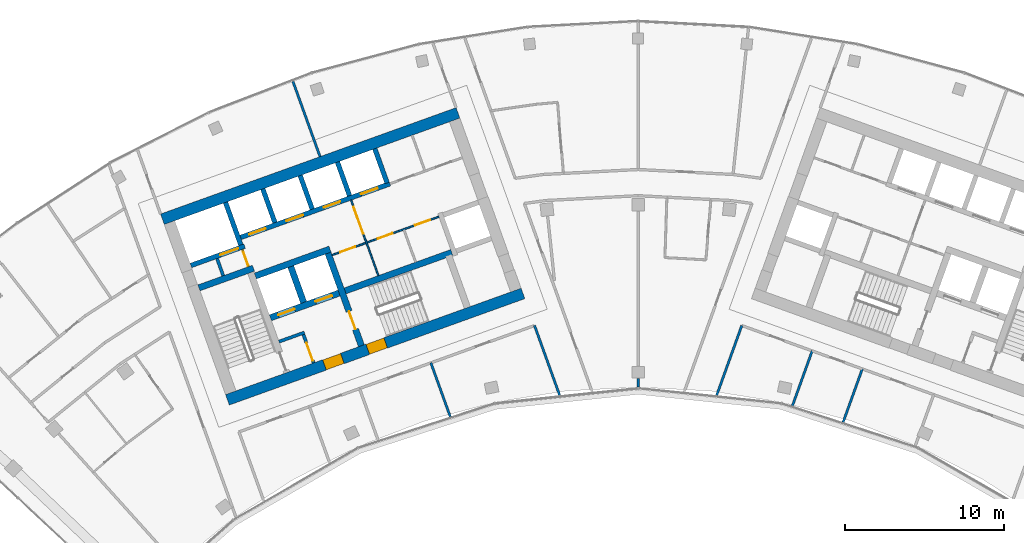
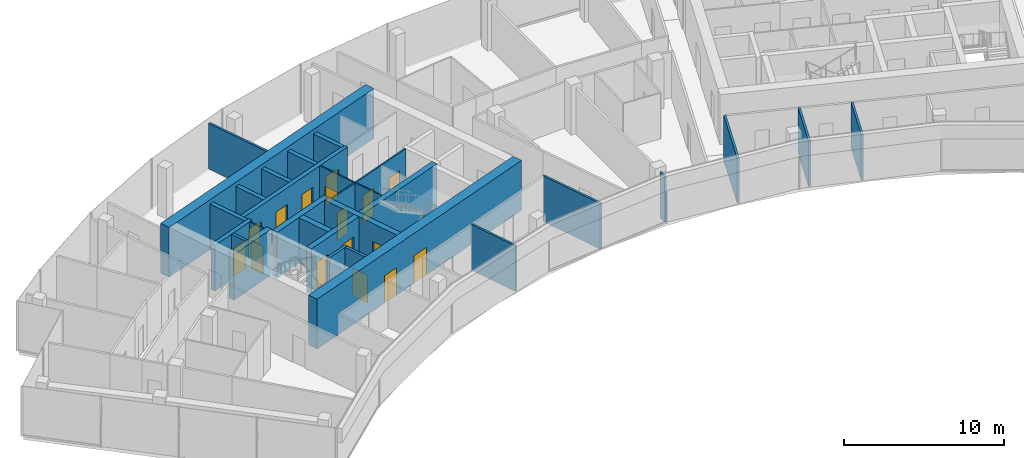
# One storey, part 13 of 18: 27 walls, 16 doors, 16 openings.
"""IFC4 building model written with IfcOpenShell, lengths in metres."""

from ifc_helpers import new_model, si_unit, direction, frame, frame_2d, origin, place, context, subcontext, project, spatial, rectangle, extrude, material, layer, layer_set, type_object, element, fill, save


model = new_model("IFC4")

# Units and contexts
model_context = context("Model", 3, precision=1e-05, world=origin(), true_north=direction((0.0, 1.0)))
body_context = subcontext(model_context, "Body", "Model", "MODEL_VIEW")
ifc_project = project(units=[si_unit("LENGTHUNIT", "METRE"), si_unit("AREAUNIT", "SQUARE_METRE"), si_unit("VOLUMEUNIT", "CUBIC_METRE"), si_unit("PLANEANGLEUNIT", "RADIAN"), si_unit("MASSUNIT", "GRAM", prefix="KILO")], contexts=[model_context])

# Site, building, storey
site_placement = place(None, origin())
site = spatial("IfcSite", under=ifc_project, at=site_placement, CompositionType="ELEMENT")
building_placement = place(site_placement, origin())
building = spatial("IfcBuilding", under=site, at=building_placement, Name="Stone Belt Terrace Tower", CompositionType="ELEMENT")
storey_placement = place(building_placement, frame((0.0, 0.0, 296.0)))
storey = spatial("IfcBuildingStorey", under=building, at=storey_placement, Name="L72", CompositionType="ELEMENT", Elevation=296.0)

# Wall, opening, door
ifc_material_1 = material(Name="Plasterboard partition")
ifc_layer_1 = layer(ifc_material_1, 0.10009765625)
ifc_layer_set_1 = layer_set([ifc_layer_1], Name="Core partition 100")
wall_type_1 = type_object("IfcWallType", Name="Core partition 100", PredefinedType="PARTITIONING", material=ifc_layer_set_1)
wall_1_placement = place(storey_placement, frame((-24.555908203125, 51.10400390625, 0.0), z_axis=(0.0, 0.0, 1.0), x_axis=(-0.338621735342, 0.94092258999, 0.0)))
wall_1 = element("IfcWall", 1, at=wall_1_placement, inside=storey, type_object=wall_type_1, Name="Core A wall", PredefinedType="PARTITIONING", context=body_context, shape_type="SweptSolid", body=[
    extrude(rectangle(XDim=1.14990234375, YDim=0.10009765625, at=frame_2d((0.574951171875, 0.0))), origin(), (0.0, 0.0, 1.0), 3.47998046875),
])
opening_1_placement = place(wall_1_placement, frame((0.050048828125, 0.0, 0.0)))
opening_1 = element("IfcOpeningElement", 2, at=opening_1_placement, cuts=wall_1, Name="Opening L72-C07", PredefinedType="OPENING", context=body_context, shape_type="SweptSolid", body=[
    extrude(rectangle(XDim=1.0, YDim=2.10009765625, at=frame_2d((0.5, 1.050048828125))), frame((0.0, 0.06005859375, 0.0), z_axis=(0.0, -1.0, 0.0), x_axis=(1.0, 0.0, 0.0)), (0.0, 0.0, 1.0), 0.1201171875),
])
ifc_material_2 = material(Name="Timber door leaf", Category="wood")
door_type_1 = type_object("IfcDoorType", Name="Core room door 1000", OperationType="SINGLE_SWING_LEFT", PredefinedType="DOOR", material=ifc_material_2)
door_1_placement = place(opening_1_placement, origin())
door_1 = element("IfcDoor", 3, at=door_1_placement, inside=storey, type_object=door_type_1, Name="Service lift lobby door core A", OperationType="SINGLE_SWING_RIGHT", OverallHeight=2.10009765625, OverallWidth=1.0, PredefinedType="DOOR", context=body_context, shape_type="SweptSolid", body=[
    extrude(rectangle(XDim=1.0, YDim=2.10009765625, at=frame_2d((0.5, 1.050048828125))), frame((0.0, 0.02490234375, 0.0), z_axis=(0.0, -1.0, 0.0), x_axis=(1.0, 0.0, 0.0)), (0.0, 0.0, 1.0), 0.050048828125),
])
fill(opening_1, door_1)

# Wall, openings, doors
wall_2_placement = place(storey_placement, frame((-19.29052734375, 51.829833984375, 0.0), z_axis=(0.0, 0.0, 1.0), x_axis=(0.94092179465, 0.338623945331, 0.0)))
wall_2 = element("IfcWall", 4, at=wall_2_placement, inside=storey, type_object=wall_type_1, Name="Core A wall", PredefinedType="PARTITIONING", context=body_context, shape_type="SweptSolid", body=[
    extrude(rectangle(XDim=7.14990234375, YDim=0.10009765625, at=frame_2d((3.574951171875, 0.0))), origin(), (0.0, 0.0, 1.0), 3.47998046875),
])
opening_2_placement = place(wall_2_placement, frame((0.550048828125, 0.0, 0.0)))
opening_2 = element("IfcOpeningElement", 5, at=opening_2_placement, cuts=wall_2, Name="Opening L72-C03", PredefinedType="OPENING", context=body_context, shape_type="SweptSolid", body=[
    extrude(rectangle(XDim=1.0, YDim=2.10009765625, at=frame_2d((0.5, 1.050048828125))), frame((0.0, 0.06005859375, 0.0), z_axis=(0.0, -1.0, 0.0), x_axis=(1.0, 0.0, 0.0)), (0.0, 0.0, 1.0), 0.1201171875),
])
opening_3_placement = place(wall_2_placement, frame((3.050048828125, 0.0, 0.0)))
opening_3 = element("IfcOpeningElement", 6, at=opening_3_placement, cuts=wall_2, Name="Opening L72-C04", PredefinedType="OPENING", context=body_context, shape_type="SweptSolid", body=[
    extrude(rectangle(XDim=1.0, YDim=2.10009765625, at=frame_2d((0.5, 1.050048828125))), frame((0.0, 0.06005859375, 0.0), z_axis=(0.0, -1.0, 0.0), x_axis=(1.0, 0.0, 0.0)), (0.0, 0.0, 1.0), 0.1201171875),
])
opening_4_placement = place(wall_2_placement, frame((5.550048828125, 0.0, 0.0)))
opening_4 = element("IfcOpeningElement", 7, at=opening_4_placement, cuts=wall_2, Name="Opening L72-C05", PredefinedType="OPENING", context=body_context, shape_type="SweptSolid", body=[
    extrude(rectangle(XDim=1.0, YDim=2.10009765625, at=frame_2d((0.5, 1.050048828125))), frame((0.0, 0.06005859375, 0.0), z_axis=(0.0, -1.0, 0.0), x_axis=(1.0, 0.0, 0.0)), (0.0, 0.0, 1.0), 0.1201171875),
])
door_2_placement = place(opening_2_placement, origin())
door_2 = element("IfcDoor", 8, at=door_2_placement, inside=storey, type_object=door_type_1, Name="Door to Ventilation plant room core A", OperationType="SINGLE_SWING_RIGHT", OverallHeight=2.10009765625, OverallWidth=1.0, PredefinedType="DOOR", context=body_context, shape_type="SweptSolid", body=[
    extrude(rectangle(XDim=1.0, YDim=2.10009765625, at=frame_2d((0.5, 1.050048828125))), frame((0.0, 0.02490234375, 0.0), z_axis=(0.0, -1.0, 0.0), x_axis=(1.0, 0.0, 0.0)), (0.0, 0.0, 1.0), 0.050048828125),
])
fill(opening_2, door_2)
door_3_placement = place(opening_3_placement, origin())
door_3 = element("IfcDoor", 9, at=door_3_placement, inside=storey, type_object=door_type_1, Name="Door to Services store core A", OperationType="SINGLE_SWING_LEFT", OverallHeight=2.10009765625, OverallWidth=1.0, PredefinedType="DOOR", context=body_context, shape_type="SweptSolid", body=[
    extrude(rectangle(XDim=1.0, YDim=2.10009765625, at=frame_2d((0.5, 1.050048828125))), frame((0.0, 0.02490234375, 0.0), z_axis=(0.0, -1.0, 0.0), x_axis=(1.0, 0.0, 0.0)), (0.0, 0.0, 1.0), 0.050048828125),
])
fill(opening_3, door_3)
door_4_placement = place(opening_4_placement, origin())
door_4 = element("IfcDoor", 10, at=door_4_placement, inside=storey, type_object=door_type_1, Name="Door to Server room core A", OperationType="SINGLE_SWING_RIGHT", OverallHeight=2.10009765625, OverallWidth=1.0, PredefinedType="DOOR", context=body_context, shape_type="SweptSolid", body=[
    extrude(rectangle(XDim=1.0, YDim=2.10009765625, at=frame_2d((0.5, 1.050048828125))), frame((0.0, 0.02490234375, 0.0), z_axis=(0.0, -1.0, 0.0), x_axis=(1.0, 0.0, 0.0)), (0.0, 0.0, 1.0), 0.050048828125),
])
fill(opening_4, door_4)

# Wall, opening, door
wall_3_placement = place(storey_placement, frame((-16.38134765625, 50.53857421875, 0.0), z_axis=(0.0, 0.0, 1.0), x_axis=(-0.33860476744, 0.940928696271, 0.0)))
wall_3 = element("IfcWall", 11, at=wall_3_placement, inside=storey, type_object=wall_type_1, Name="Core A wall", PredefinedType="PARTITIONING", context=body_context, shape_type="SweptSolid", body=[
    extrude(rectangle(XDim=5.050048828125, YDim=0.10009765625, at=frame_2d((2.52490234375, 0.0))), origin(), (0.0, 0.0, 1.0), 3.47998046875),
])
opening_5_placement = place(wall_3_placement, frame((2.800048828125, 0.0, 0.0)))
opening_5 = element("IfcOpeningElement", 12, at=opening_5_placement, cuts=wall_3, Name="Opening L72-C08", PredefinedType="OPENING", context=body_context, shape_type="SweptSolid", body=[
    extrude(rectangle(XDim=1.800048828125, YDim=2.10009765625, at=frame_2d((0.89990234375, 1.050048828125))), frame((0.0, 0.06005859375, 0.0), z_axis=(0.0, -1.0, 0.0), x_axis=(1.0, 0.0, 0.0)), (0.0, 0.0, 1.0), 0.1201171875),
])
ifc_material_3 = material(Name="Glazed aluminium door leaf", Category="aluminium")
door_type_2 = type_object("IfcDoorType", Name="Lift lobby entrance door 1800", OperationType="DOUBLE_DOOR_SINGLE_SWING", PredefinedType="DOOR", material=ifc_material_3)
door_5_placement = place(opening_5_placement, origin())
door_5 = element("IfcDoor", 13, at=door_5_placement, inside=storey, type_object=door_type_2, Name="Lift lobby double door core A", OperationType="DOUBLE_DOOR_SINGLE_SWING", OverallHeight=2.10009765625, OverallWidth=1.800048828125, PredefinedType="DOOR", context=body_context, shape_type="SweptSolid", body=[
    extrude(rectangle(XDim=1.800048828125, YDim=2.10009765625, at=frame_2d((0.89990234375, 1.050048828125))), frame((0.0, 0.02490234375, 0.0), z_axis=(0.0, -1.0, 0.0), x_axis=(1.0, 0.0, 0.0)), (0.0, 0.0, 1.0), 0.050048828125),
])
fill(opening_5, door_5)

# Wall, openings, doors
ifc_material_4 = material(Name="Concrete B60", Category="concrete")
ifc_layer_2 = layer(ifc_material_4, 0.699951171875)
ifc_layer_set_2 = layer_set([ifc_layer_2], Name="Core wall 700 B60")
wall_type_2 = type_object("IfcWallType", Name="Core wall 700 B60", PredefinedType="SHEAR", material=ifc_layer_set_2)
wall_4_placement = place(storey_placement, frame((-25.890869140625, 42.705810546875, 0.0), z_axis=(0.0, 0.0, 1.0), x_axis=(0.940925130461, 0.338614676094, 0.0)))
wall_4 = element("IfcWall", 14, at=wall_4_placement, inside=storey, type_object=wall_type_2, Name="Core A wall concave L72", PredefinedType="SHEAR", context=body_context, shape_type="SweptSolid", body=[
    extrude(rectangle(XDim=19.800048828125, YDim=0.699951171875, at=frame_2d((9.89990234375, 0.0))), origin(), (0.0, 0.0, 1.0), 3.800048828125),
])
opening_6_placement = place(wall_4_placement, frame((6.5, 0.0, 0.0)))
opening_6 = element("IfcOpeningElement", 15, at=opening_6_placement, cuts=wall_4, Name="Opening L72-C12", PredefinedType="OPENING", context=body_context, shape_type="SweptSolid", body=[
    extrude(rectangle(XDim=1.199951171875, YDim=2.10009765625, at=frame_2d((0.60009765625, 1.050048828125))), frame((0.0, 0.35986328125, 0.0), z_axis=(0.0, -1.0, 0.0), x_axis=(1.0, 0.0, 0.0)), (0.0, 0.0, 1.0), 0.719970703125),
])
opening_7_placement = place(wall_4_placement, frame((9.39990234375, 0.0, 0.0)))
opening_7 = element("IfcOpeningElement", 16, at=opening_7_placement, cuts=wall_4, Name="Opening L72-C14", PredefinedType="OPENING", context=body_context, shape_type="SweptSolid", body=[
    extrude(rectangle(XDim=1.199951171875, YDim=2.10009765625, at=frame_2d((0.60009765625, 1.050048828125))), frame((0.0, 0.35986328125, 0.0), z_axis=(0.0, -1.0, 0.0), x_axis=(1.0, 0.0, 0.0)), (0.0, 0.0, 1.0), 0.719970703125),
])
ifc_material_5 = material(Name="Steel door leaf", Category="steel")
door_type_3 = type_object("IfcDoorType", Name="Fire-fighting lobby door 1200", OperationType="SINGLE_SWING_LEFT", PredefinedType="DOOR", material=ifc_material_5)
door_6_placement = place(opening_6_placement, origin())
door_6 = element("IfcDoor", 17, at=door_6_placement, inside=storey, type_object=door_type_3, Name="Fire-fighting lobby door core A", OperationType="SINGLE_SWING_RIGHT", OverallHeight=2.10009765625, OverallWidth=1.199951171875, PredefinedType="DOOR", context=body_context, shape_type="SweptSolid", body=[
    extrude(rectangle(XDim=1.199951171875, YDim=2.10009765625, at=frame_2d((0.60009765625, 1.050048828125))), frame((0.0, 0.330078125, 0.0), z_axis=(0.0, -1.0, 0.0), x_axis=(1.0, 0.0, 0.0)), (0.0, 0.0, 1.0), 0.659912109375),
])
fill(opening_6, door_6)
door_type_4 = type_object("IfcDoorType", Name="Stair door 1200", OperationType="SINGLE_SWING_LEFT", PredefinedType="DOOR", material=ifc_material_5)
door_7_placement = place(opening_7_placement, origin())
door_7 = element("IfcDoor", 18, at=door_7_placement, inside=storey, type_object=door_type_4, Name="Stair 2 exit door core A", OperationType="SINGLE_SWING_LEFT", OverallHeight=2.10009765625, OverallWidth=1.199951171875, PredefinedType="DOOR", context=body_context, shape_type="SweptSolid", body=[
    extrude(rectangle(XDim=1.199951171875, YDim=2.10009765625, at=frame_2d((0.60009765625, 1.050048828125))), frame((0.0, 0.330078125, 0.0), z_axis=(0.0, -1.0, 0.0), x_axis=(1.0, 0.0, 0.0)), (0.0, 0.0, 1.0), 0.659912109375),
])
fill(opening_7, door_7)

# Walls
wall_5_placement = place(storey_placement, frame((-29.988037109375, 54.0908203125, 0.0), z_axis=(0.0, 0.0, 1.0), x_axis=(0.940919787944, 0.33862952124, 0.0)))
element("IfcWall", 19, at=wall_5_placement, inside=storey, type_object=wall_type_2, Name="Core A wall convex L72", PredefinedType="SHEAR", context=body_context, shape_type="SweptSolid", body=[
    extrude(rectangle(XDim=19.7998046875, YDim=0.699951171875, at=frame_2d((9.89990234375, 0.0))), origin(), (0.0, 0.0, 1.0), 3.800048828125),
])
ifc_material_6 = material(Name="Concrete B80", Category="concrete")
ifc_layer_3 = layer(ifc_material_6, 0.39990234375)
ifc_layer_set_3 = layer_set([ifc_layer_3], Name="Fire-fighting lift shaft wall 400")
wall_type_3 = type_object("IfcWallType", Name="Fire-fighting lift shaft wall 400", PredefinedType="SHEAR", material=ifc_layer_set_3)
wall_6_placement = place(storey_placement, frame((-24.130615234375, 50.512939453125, 0.0), z_axis=(0.0, 0.0, 1.0), x_axis=(0.94091168377, 0.338652038744, 0.0)))
element("IfcWall", 20, at=wall_6_placement, inside=storey, type_object=wall_type_3, Name="Core A wall", PredefinedType="SHEAR", context=body_context, shape_type="SweptSolid", body=[
    extrude(rectangle(XDim=5.000244140625, YDim=0.39990234375, at=frame_2d((2.5, 0.0))), origin(), (0.0, 0.0, 1.0), 3.47998046875),
])
wall_7_placement = place(storey_placement, frame((-21.0859375, 48.845458984375, 0.0), z_axis=(0.0, 0.0, 1.0), x_axis=(-0.338629416206, 0.940919825745, 0.0)))
element("IfcWall", 21, at=wall_7_placement, inside=storey, type_object=wall_type_3, Name="Core A wall", PredefinedType="SHEAR", context=body_context, shape_type="SweptSolid", body=[
    extrude(rectangle(XDim=2.400146484375, YDim=0.39990234375, at=frame_2d((1.2001953125, 0.0))), origin(), (0.0, 0.0, 1.0), 3.47998046875),
])

# Wall, opening, door
ifc_layer_4 = layer(ifc_material_6, 0.300048828125)
ifc_layer_set_4 = layer_set([ifc_layer_4], Name="Lift shaft wall 300")
wall_type_4 = type_object("IfcWallType", Name="Lift shaft wall 300", PredefinedType="SHEAR", material=ifc_layer_set_4)
wall_8_placement = place(storey_placement, frame((-28.195068359375, 51.17578125, 0.0), z_axis=(0.0, 0.0, 1.0), x_axis=(0.940901243567, 0.338681044427, 0.0)))
wall_8 = element("IfcWall", 22, at=wall_8_placement, inside=storey, type_object=wall_type_4, Name="Core A wall", PredefinedType="SHEAR", context=body_context, shape_type="SweptSolid", body=[
    extrude(rectangle(XDim=3.599853515625, YDim=0.300048828125, at=frame_2d((1.7998046875, 0.0))), origin(), (0.0, 0.0, 1.0), 3.47998046875),
])
opening_8_placement = place(wall_8_placement, frame((1.969970703125, 0.0, 0.0)))
opening_8 = element("IfcOpeningElement", 23, at=opening_8_placement, cuts=wall_8, Name="Opening L72-LD07", PredefinedType="OPENING", context=body_context, shape_type="SweptSolid", body=[
    extrude(rectangle(XDim=1.199951171875, YDim=2.199951171875, at=frame_2d((0.60009765625, 1.10009765625))), frame((0.0, 0.159912109375, 0.0), z_axis=(0.0, -1.0, 0.0), x_axis=(1.0, 0.0, 0.0)), (0.0, 0.0, 1.0), 0.320068359375),
])
ifc_material_7 = material(Name="Stainless steel door leaf", Category="steel")
door_type_5 = type_object("IfcDoorType", Name="Landing door 1200", OperationType="SLIDING_TO_LEFT", PredefinedType="DOOR", material=ifc_material_7)
door_8_placement = place(opening_8_placement, origin())
door_8 = element("IfcDoor", 24, at=door_8_placement, inside=storey, type_object=door_type_5, Name="Landing door SV1 core A", OperationType="SLIDING_TO_LEFT", OverallHeight=2.199951171875, OverallWidth=1.199951171875, PredefinedType="DOOR", context=body_context, shape_type="SweptSolid", body=[
    extrude(rectangle(XDim=1.199951171875, YDim=2.199951171875, at=frame_2d((0.60009765625, 1.10009765625))), frame((0.0, 0.02490234375, 0.0), z_axis=(0.0, -1.0, 0.0), x_axis=(1.0, 0.0, 0.0)), (0.0, 0.0, 1.0), 0.050048828125),
])
fill(opening_8, door_8)

# Wall
wall_9_placement = place(storey_placement, frame((-25.046875, 52.46826171875, 0.0), z_axis=(0.0, 0.0, 1.0), x_axis=(-0.338549588058, 0.940948551423, 0.0)))
element("IfcWall", 25, at=wall_9_placement, inside=storey, type_object=wall_type_4, Name="Core A wall", PredefinedType="SHEAR", context=body_context, shape_type="SweptSolid", body=[
    extrude(rectangle(XDim=2.849853515625, YDim=0.300048828125, at=frame_2d((1.4248046875, 0.0))), origin(), (0.0, 0.0, 1.0), 3.47998046875),
])

# Wall, openings, doors
wall_10_placement = place(storey_placement, frame((-25.05810546875, 52.9423828125, 0.0), z_axis=(0.0, 0.0, 1.0), x_axis=(0.940924441602, 0.338616590255, 0.0)))
wall_10 = element("IfcWall", 26, at=wall_10_placement, inside=storey, type_object=wall_type_4, Name="Core A wall", PredefinedType="SHEAR", context=body_context, shape_type="SweptSolid", body=[
    extrude(rectangle(XDim=10.000244140625, YDim=0.300048828125, at=frame_2d((5.0, 0.0))), origin(), (0.0, 0.0, 1.0), 3.47998046875),
])
opening_9_placement = place(wall_10_placement, frame((0.570068359375, 0.0, 0.0)))
opening_9 = element("IfcOpeningElement", 27, at=opening_9_placement, cuts=wall_10, Name="Opening L72-LD01", PredefinedType="OPENING", context=body_context, shape_type="SweptSolid", body=[
    extrude(rectangle(XDim=1.10009765625, YDim=2.199951171875, at=frame_2d((0.550048828125, 1.10009765625))), frame((0.0, 0.159912109375, 0.0), z_axis=(0.0, -1.0, 0.0), x_axis=(1.0, 0.0, 0.0)), (0.0, 0.0, 1.0), 0.320068359375),
])
opening_10_placement = place(wall_10_placement, frame((3.070068359375, 0.0, 0.0)))
opening_10 = element("IfcOpeningElement", 28, at=opening_10_placement, cuts=wall_10, Name="Opening L72-LD02", PredefinedType="OPENING", context=body_context, shape_type="SweptSolid", body=[
    extrude(rectangle(XDim=1.10009765625, YDim=2.199951171875, at=frame_2d((0.550048828125, 1.10009765625))), frame((0.0, 0.159912109375, 0.0), z_axis=(0.0, -1.0, 0.0), x_axis=(1.0, 0.0, 0.0)), (0.0, 0.0, 1.0), 0.320068359375),
])
opening_11_placement = place(wall_10_placement, frame((5.570068359375, 0.0, 0.0)))
opening_11 = element("IfcOpeningElement", 29, at=opening_11_placement, cuts=wall_10, Name="Opening L72-LD03", PredefinedType="OPENING", context=body_context, shape_type="SweptSolid", body=[
    extrude(rectangle(XDim=1.10009765625, YDim=2.199951171875, at=frame_2d((0.550048828125, 1.10009765625))), frame((0.0, 0.159912109375, 0.0), z_axis=(0.0, -1.0, 0.0), x_axis=(1.0, 0.0, 0.0)), (0.0, 0.0, 1.0), 0.320068359375),
])
opening_12_placement = place(wall_10_placement, frame((8.070068359375, 0.0, 0.0)))
opening_12 = element("IfcOpeningElement", 30, at=opening_12_placement, cuts=wall_10, Name="Opening L72-LD04", PredefinedType="OPENING", context=body_context, shape_type="SweptSolid", body=[
    extrude(rectangle(XDim=1.10009765625, YDim=2.199951171875, at=frame_2d((0.550048828125, 1.10009765625))), frame((0.0, 0.159912109375, 0.0), z_axis=(0.0, -1.0, 0.0), x_axis=(1.0, 0.0, 0.0)), (0.0, 0.0, 1.0), 0.320068359375),
])
door_type_6 = type_object("IfcDoorType", Name="Landing door 1100", OperationType="SLIDING_TO_LEFT", PredefinedType="DOOR", material=ifc_material_7)
door_9_placement = place(opening_9_placement, origin())
door_9 = element("IfcDoor", 31, at=door_9_placement, inside=storey, type_object=door_type_6, Name="Landing door HR1 core A", OperationType="SLIDING_TO_LEFT", OverallHeight=2.199951171875, OverallWidth=1.10009765625, PredefinedType="DOOR", context=body_context, shape_type="SweptSolid", body=[
    extrude(rectangle(XDim=1.10009765625, YDim=2.199951171875, at=frame_2d((0.550048828125, 1.10009765625))), frame((0.0, 0.02490234375, 0.0), z_axis=(0.0, -1.0, 0.0), x_axis=(1.0, 0.0, 0.0)), (0.0, 0.0, 1.0), 0.050048828125),
])
fill(opening_9, door_9)
door_10_placement = place(opening_10_placement, origin())
door_10 = element("IfcDoor", 32, at=door_10_placement, inside=storey, type_object=door_type_6, Name="Landing door HR2 core A", OperationType="SLIDING_TO_LEFT", OverallHeight=2.199951171875, OverallWidth=1.10009765625, PredefinedType="DOOR", context=body_context, shape_type="SweptSolid", body=[
    extrude(rectangle(XDim=1.10009765625, YDim=2.199951171875, at=frame_2d((0.550048828125, 1.10009765625))), frame((0.0, 0.02490234375, 0.0), z_axis=(0.0, -1.0, 0.0), x_axis=(1.0, 0.0, 0.0)), (0.0, 0.0, 1.0), 0.050048828125),
])
fill(opening_10, door_10)
door_11_placement = place(opening_11_placement, origin())
door_11 = element("IfcDoor", 33, at=door_11_placement, inside=storey, type_object=door_type_6, Name="Landing door HR3 core A", OperationType="SLIDING_TO_LEFT", OverallHeight=2.199951171875, OverallWidth=1.10009765625, PredefinedType="DOOR", context=body_context, shape_type="SweptSolid", body=[
    extrude(rectangle(XDim=1.10009765625, YDim=2.199951171875, at=frame_2d((0.550048828125, 1.10009765625))), frame((0.0, 0.02490234375, 0.0), z_axis=(0.0, -1.0, 0.0), x_axis=(1.0, 0.0, 0.0)), (0.0, 0.0, 1.0), 0.050048828125),
])
fill(opening_11, door_11)
door_12_placement = place(opening_12_placement, origin())
door_12 = element("IfcDoor", 34, at=door_12_placement, inside=storey, type_object=door_type_6, Name="Landing door HR4 core A", OperationType="SLIDING_TO_LEFT", OverallHeight=2.199951171875, OverallWidth=1.10009765625, PredefinedType="DOOR", context=body_context, shape_type="SweptSolid", body=[
    extrude(rectangle(XDim=1.10009765625, YDim=2.199951171875, at=frame_2d((0.550048828125, 1.10009765625))), frame((0.0, 0.02490234375, 0.0), z_axis=(0.0, -1.0, 0.0), x_axis=(1.0, 0.0, 0.0)), (0.0, 0.0, 1.0), 0.050048828125),
])
fill(opening_12, door_12)

# Walls
wall_11_placement = place(storey_placement, frame((-22.897705078125, 53.87939453125, 0.0), z_axis=(0.0, 0.0, 1.0), x_axis=(-0.338535034312, 0.940953787677, 0.0)))
element("IfcWall", 35, at=wall_11_placement, inside=storey, type_object=wall_type_4, Name="Core A wall", PredefinedType="SHEAR", context=body_context, shape_type="SweptSolid", body=[
    extrude(rectangle(XDim=2.25, YDim=0.300048828125, at=frame_2d((1.125, 0.0))), origin(), (0.0, 0.0, 1.0), 3.47998046875),
])
wall_12_placement = place(storey_placement, frame((-20.54541015625, 54.72607421875, 0.0), z_axis=(0.0, 0.0, 1.0), x_axis=(-0.338569601369, 0.940941350472, 0.0)))
element("IfcWall", 36, at=wall_12_placement, inside=storey, type_object=wall_type_4, Name="Core A wall", PredefinedType="SHEAR", context=body_context, shape_type="SweptSolid", body=[
    extrude(rectangle(XDim=2.249755859375, YDim=0.300048828125, at=frame_2d((1.125, 0.0))), origin(), (0.0, 0.0, 1.0), 3.47998046875),
])
wall_13_placement = place(storey_placement, frame((-18.193115234375, 55.572509765625, 0.0), z_axis=(0.0, 0.0, 1.0), x_axis=(-0.338535034312, 0.940953787677, 0.0)))
element("IfcWall", 37, at=wall_13_placement, inside=storey, type_object=wall_type_4, Name="Core A wall", PredefinedType="SHEAR", context=body_context, shape_type="SweptSolid", body=[
    extrude(rectangle(XDim=2.25, YDim=0.300048828125, at=frame_2d((1.125, 0.0))), origin(), (0.0, 0.0, 1.0), 3.47998046875),
])
wall_14_placement = place(storey_placement, frame((-15.82373046875, 56.3720703125, 0.0), z_axis=(0.0, 0.0, 1.0), x_axis=(-0.338621735342, 0.94092258999, 0.0)))
element("IfcWall", 38, at=wall_14_placement, inside=storey, type_object=wall_type_4, Name="Core A wall", PredefinedType="SHEAR", context=body_context, shape_type="SweptSolid", body=[
    extrude(rectangle(XDim=2.300048828125, YDim=0.300048828125, at=frame_2d((1.14990234375, 0.0))), origin(), (0.0, 0.0, 1.0), 3.47998046875),
])
ifc_material_8 = material(Name="Gypsum board partition")
ifc_layer_5 = layer(ifc_material_8, 0.14990234375)
ifc_layer_set_5 = layer_set([ifc_layer_5], Name="PARTITION 150 EI 60")
wall_type_5 = type_object("IfcWallType", Name="PARTITION 150 EI 60", PredefinedType="PARTITIONING", material=ifc_layer_set_5)
wall_15_placement = place(storey_placement, frame((-4.9462890625, 42.980224609375, 0.0), z_axis=(0.0, 0.0, 1.0), x_axis=(-0.338653121837, 0.940911293943, 0.0)))
element("IfcWall", 39, at=wall_15_placement, inside=storey, type_object=wall_type_5, Name="L72/wall/i009", PredefinedType="PARTITIONING", context=body_context, shape_type="SweptSolid", body=[
    extrude(rectangle(XDim=4.69091796875, YDim=0.14990234375, at=frame_2d((2.345458984375, 0.0))), origin(), (0.0, 0.0, 1.0), 3.47998046875),
])
wall_16_placement = place(storey_placement, frame((-13.06591796875, 45.035888671875, 0.0), z_axis=(0.0, 0.0, 1.0), x_axis=(0.338542216534, -0.940951203636, 0.0)))
element("IfcWall", 40, at=wall_16_placement, inside=storey, type_object=wall_type_5, Name="L72/wall/i021", PredefinedType="PARTITIONING", context=body_context, shape_type="SweptSolid", body=[
    extrude(rectangle(XDim=3.609375, YDim=0.14990234375, at=frame_2d((1.8046875, 0.0))), origin(), (0.0, 0.0, 1.0), 3.47998046875),
])
wall_17_placement = place(storey_placement, frame((-21.761962890625, 62.780029296875, 0.0), z_axis=(0.0, 0.0, 1.0), x_axis=(0.338645719625, -0.940913958117, 0.0)))
element("IfcWall", 41, at=wall_17_placement, inside=storey, type_object=wall_type_5, Name="L72/wall/i022", PredefinedType="PARTITIONING", context=body_context, shape_type="SweptSolid", body=[
    extrude(rectangle(XDim=5.040771484375, YDim=0.14990234375, at=frame_2d((2.5205078125, 0.0))), origin(), (0.0, 0.0, 1.0), 3.47998046875),
])
wall_18_placement = place(storey_placement, frame((6.534912109375, 47.39404296875, 0.0), z_axis=(0.0, 0.0, 1.0), x_axis=(-0.338653121837, -0.940911293943, 0.0)))
element("IfcWall", 42, at=wall_18_placement, inside=storey, type_object=wall_type_5, Name="L72/wall/i023", PredefinedType="PARTITIONING", context=body_context, shape_type="SweptSolid", body=[
    extrude(rectangle(XDim=4.69091796875, YDim=0.14990234375, at=frame_2d((2.345458984375, 0.0))), origin(), (0.0, 0.0, 1.0), 3.47998046875),
])
wall_19_placement = place(storey_placement, frame((10.969970703125, 45.791015625, 0.0), z_axis=(0.0, 0.0, 1.0), x_axis=(-0.338747659222, -0.94087726265, 0.0)))
element("IfcWall", 43, at=wall_19_placement, inside=storey, type_object=wall_type_5, Name="L72/wall/i037", PredefinedType="PARTITIONING", context=body_context, shape_type="SweptSolid", body=[
    extrude(rectangle(XDim=3.679931640625, YDim=0.14990234375, at=frame_2d((1.83984375, 0.0))), origin(), (0.0, 0.0, 1.0), 3.47998046875),
])
wall_20_placement = place(storey_placement, frame((14.1298828125, 44.653076171875, 0.0), z_axis=(0.0, 0.0, 1.0), x_axis=(-0.338680765461, -0.940901343982, 0.0)))
element("IfcWall", 44, at=wall_20_placement, inside=storey, type_object=wall_type_5, Name="L72/wall/i038", PredefinedType="PARTITIONING", context=body_context, shape_type="SweptSolid", body=[
    extrude(rectangle(XDim=3.573974609375, YDim=0.14990234375, at=frame_2d((1.787109375, 0.0))), origin(), (0.0, 0.0, 1.0), 3.47998046875),
])
wall_21_placement = place(storey_placement, frame((0.0, 44.06494140625, 0.0), z_axis=(0.0, 0.0, 1.0), x_axis=(0.0, -1.0, 0.0)))
element("IfcWall", 45, at=wall_21_placement, inside=storey, type_object=wall_type_5, Name="L72/wall/i098", PredefinedType="PARTITIONING", context=body_context, shape_type="SweptSolid", body=[
    extrude(rectangle(XDim=0.56494140625, YDim=0.14990234375, at=frame_2d((0.282470703125, 0.0))), origin(), (0.0, 0.0, 1.0), 3.47998046875),
])
ifc_material_9 = material(Name="Concrete masonry block", Category="masonry")
ifc_layer_6 = layer(ifc_material_9, 0.199951171875)
ifc_layer_set_6 = layer_set([ifc_layer_6], Name="Rated lobby wall 200")
wall_type_6 = type_object("IfcWallType", Name="Rated lobby wall 200", PredefinedType="PARTITIONING", material=ifc_layer_set_6)
wall_22_placement = place(storey_placement, frame((-26.1552734375, 50.5283203125, 0.0), z_axis=(0.0, 0.0, 1.0), x_axis=(-0.338621735342, 0.94092258999, 0.0)))
element("IfcWall", 46, at=wall_22_placement, inside=storey, type_object=wall_type_6, Name="Core A wall", PredefinedType="PARTITIONING", context=body_context, shape_type="SweptSolid", body=[
    extrude(rectangle(XDim=1.14990234375, YDim=0.199951171875, at=frame_2d((0.574951171875, 0.0))), origin(), (0.0, 0.0, 1.0), 3.47998046875),
])
wall_23_placement = place(storey_placement, frame((-22.640625, 46.373046875, 0.0), z_axis=(0.0, 0.0, 1.0), x_axis=(0.940966110313, 0.338500781747, 0.0)))
element("IfcWall", 47, at=wall_23_placement, inside=storey, type_object=wall_type_6, Name="Core A wall", PredefinedType="PARTITIONING", context=body_context, shape_type="SweptSolid", body=[
    extrude(rectangle(XDim=1.699951171875, YDim=0.199951171875, at=frame_2d((0.85009765625, 0.0))), origin(), (0.0, 0.0, 1.0), 3.47998046875),
])

# Wall, opening, door
wall_24_placement = place(storey_placement, frame((-20.4580078125, 45.032958984375, 0.0), z_axis=(0.0, 0.0, 1.0), x_axis=(-0.338573865316, 0.940939816208, 0.0)))
wall_24 = element("IfcWall", 48, at=wall_24_placement, inside=storey, type_object=wall_type_6, Name="Core A wall", PredefinedType="PARTITIONING", context=body_context, shape_type="SweptSolid", body=[
    extrude(rectangle(XDim=1.900146484375, YDim=0.199951171875, at=frame_2d((0.9501953125, 0.0))), origin(), (0.0, 0.0, 1.0), 3.47998046875),
])
opening_13_placement = place(wall_24_placement, frame((0.14990234375, 0.0, 0.0)))
opening_13 = element("IfcOpeningElement", 49, at=opening_13_placement, cuts=wall_24, Name="Opening L72-C11", PredefinedType="OPENING", context=body_context, shape_type="SweptSolid", body=[
    extrude(rectangle(XDim=1.199951171875, YDim=2.10009765625, at=frame_2d((0.60009765625, 1.050048828125))), frame((0.0, 0.10986328125, 0.0), z_axis=(0.0, -1.0, 0.0), x_axis=(1.0, 0.0, 0.0)), (0.0, 0.0, 1.0), 0.219970703125),
])
door_13_placement = place(opening_13_placement, origin())
door_13 = element("IfcDoor", 50, at=door_13_placement, inside=storey, type_object=door_type_4, Name="Stair airlock door core A", OperationType="SINGLE_SWING_RIGHT", OverallHeight=2.10009765625, OverallWidth=1.199951171875, PredefinedType="DOOR", context=body_context, shape_type="SweptSolid", body=[
    extrude(rectangle(XDim=1.199951171875, YDim=2.10009765625, at=frame_2d((0.60009765625, 1.050048828125))), frame((0.0, 0.02490234375, 0.0), z_axis=(0.0, -1.0, 0.0), x_axis=(1.0, 0.0, 0.0)), (0.0, 0.0, 1.0), 0.050048828125),
])
fill(opening_13, door_13)

# Wall
ifc_layer_7 = layer(ifc_material_6, 0.39990234375)
ifc_layer_set_7 = layer_set([ifc_layer_7], Name="Stair enclosure wall 400")
wall_type_7 = type_object("IfcWallType", Name="Stair enclosure wall 400", PredefinedType="SHEAR", material=ifc_layer_set_7)
wall_25_placement = place(storey_placement, frame((-27.687255859375, 49.764404296875, 0.0), z_axis=(0.0, 0.0, 1.0), x_axis=(0.940918954884, 0.338631835981, 0.0)))
element("IfcWall", 51, at=wall_25_placement, inside=storey, type_object=wall_type_7, Name="Core A wall", PredefinedType="SHEAR", context=body_context, shape_type="SweptSolid", body=[
    extrude(rectangle(XDim=3.650146484375, YDim=0.39990234375, at=frame_2d((1.8251953125, 0.0))), origin(), (0.0, 0.0, 1.0), 3.47998046875),
])

# Wall, openings, doors
wall_26_placement = place(storey_placement, frame((-23.182373046875, 47.87841796875, 0.0), z_axis=(0.0, 0.0, 1.0), x_axis=(0.940921731919, 0.338624119641, 0.0)))
wall_26 = element("IfcWall", 52, at=wall_26_placement, inside=storey, type_object=wall_type_7, Name="Core A wall", PredefinedType="SHEAR", context=body_context, shape_type="SweptSolid", body=[
    extrude(rectangle(XDim=12.14990234375, YDim=0.39990234375, at=frame_2d((6.074951171875, 0.0))), origin(), (0.0, 0.0, 1.0), 3.47998046875),
])
opening_14_placement = place(wall_26_placement, frame((0.52001953125, 0.0, 0.0)))
opening_14 = element("IfcOpeningElement", 53, at=opening_14_placement, cuts=wall_26, Name="Opening L72-LD05", PredefinedType="OPENING", context=body_context, shape_type="SweptSolid", body=[
    extrude(rectangle(XDim=1.10009765625, YDim=2.199951171875, at=frame_2d((0.550048828125, 1.10009765625))), frame((0.0, 0.2099609375, 0.0), z_axis=(0.0, -1.0, 0.0), x_axis=(1.0, 0.0, 0.0)), (0.0, 0.0, 1.0), 0.419921875),
])
opening_15_placement = place(wall_26_placement, frame((3.02001953125, 0.0, 0.0)))
opening_15 = element("IfcOpeningElement", 54, at=opening_15_placement, cuts=wall_26, Name="Opening L72-LD06", PredefinedType="OPENING", context=body_context, shape_type="SweptSolid", body=[
    extrude(rectangle(XDim=1.10009765625, YDim=2.199951171875, at=frame_2d((0.550048828125, 1.10009765625))), frame((0.0, 0.2099609375, 0.0), z_axis=(0.0, -1.0, 0.0), x_axis=(1.0, 0.0, 0.0)), (0.0, 0.0, 1.0), 0.419921875),
])
door_14_placement = place(opening_14_placement, origin())
door_14 = element("IfcDoor", 55, at=door_14_placement, inside=storey, type_object=door_type_6, Name="Landing door FF1 core A", OperationType="SLIDING_TO_LEFT", OverallHeight=2.199951171875, OverallWidth=1.10009765625, PredefinedType="DOOR", context=body_context, shape_type="SweptSolid", body=[
    extrude(rectangle(XDim=1.10009765625, YDim=2.199951171875, at=frame_2d((0.550048828125, 1.10009765625))), frame((0.0, 0.02490234375, 0.0), z_axis=(0.0, -1.0, 0.0), x_axis=(1.0, 0.0, 0.0)), (0.0, 0.0, 1.0), 0.050048828125),
])
fill(opening_14, door_14)
door_15_placement = place(opening_15_placement, origin())
door_15 = element("IfcDoor", 56, at=door_15_placement, inside=storey, type_object=door_type_6, Name="Landing door FF2 core A", OperationType="SLIDING_TO_LEFT", OverallHeight=2.199951171875, OverallWidth=1.10009765625, PredefinedType="DOOR", context=body_context, shape_type="SweptSolid", body=[
    extrude(rectangle(XDim=1.10009765625, YDim=2.199951171875, at=frame_2d((0.550048828125, 1.10009765625))), frame((0.0, 0.02490234375, 0.0), z_axis=(0.0, -1.0, 0.0), x_axis=(1.0, 0.0, 0.0)), (0.0, 0.0, 1.0), 0.050048828125),
])
fill(opening_15, door_15)

# Wall, opening, door
wall_27_placement = place(storey_placement, frame((-17.447021484375, 46.116455078125, 0.0), z_axis=(0.0, 0.0, 1.0), x_axis=(-0.33860791464, 0.940927563707, 0.0)))
wall_27 = element("IfcWall", 57, at=wall_27_placement, inside=storey, type_object=wall_type_7, Name="Core A wall", PredefinedType="SHEAR", context=body_context, shape_type="SweptSolid", body=[
    extrude(rectangle(XDim=6.199951171875, YDim=0.39990234375, at=frame_2d((3.10009765625, 0.0))), origin(), (0.0, 0.0, 1.0), 3.47998046875),
])
opening_16_placement = place(wall_27_placement, frame((1.10009765625, 0.0, 0.0)))
opening_16 = element("IfcOpeningElement", 58, at=opening_16_placement, cuts=wall_27, Name="Opening L72-C13", PredefinedType="OPENING", context=body_context, shape_type="SweptSolid", body=[
    extrude(rectangle(XDim=1.199951171875, YDim=2.10009765625, at=frame_2d((0.60009765625, 1.050048828125))), frame((0.0, 0.2099609375, 0.0), z_axis=(0.0, -1.0, 0.0), x_axis=(1.0, 0.0, 0.0)), (0.0, 0.0, 1.0), 0.419921875),
])
door_16_placement = place(opening_16_placement, origin())
door_16 = element("IfcDoor", 59, at=door_16_placement, inside=storey, type_object=door_type_4, Name="Stair 2 door core A", OperationType="SINGLE_SWING_RIGHT", OverallHeight=2.10009765625, OverallWidth=1.199951171875, PredefinedType="DOOR", context=body_context, shape_type="SweptSolid", body=[
    extrude(rectangle(XDim=1.199951171875, YDim=2.10009765625, at=frame_2d((0.60009765625, 1.050048828125))), frame((0.0, 0.02490234375, 0.0), z_axis=(0.0, -1.0, 0.0), x_axis=(1.0, 0.0, 0.0)), (0.0, 0.0, 1.0), 0.050048828125),
])
fill(opening_16, door_16)

save(model, "model.ifc")
